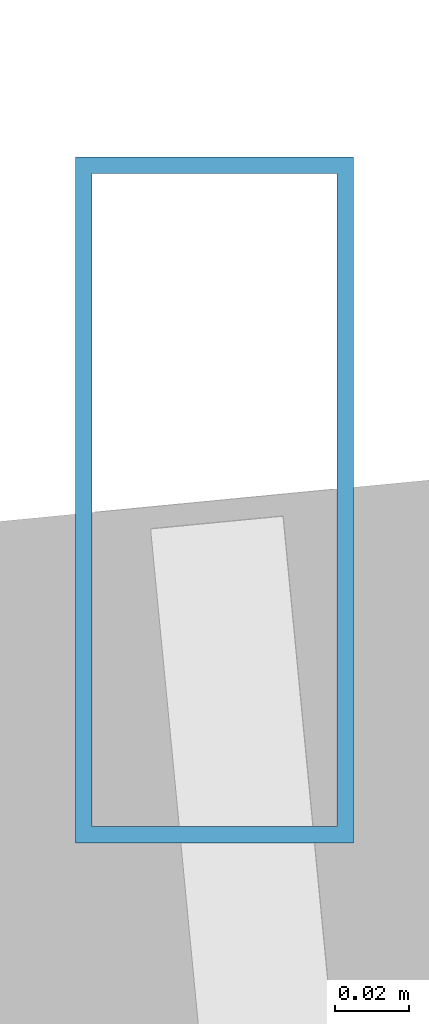
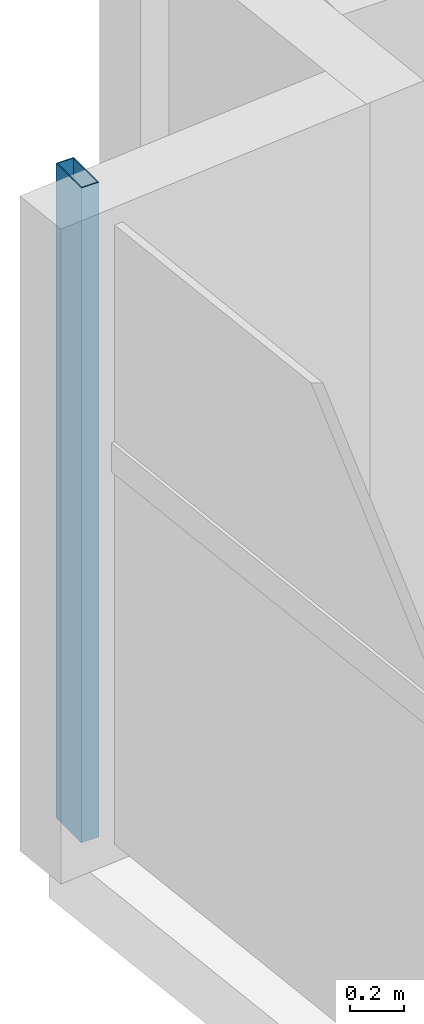
# One storey, part 8 of 25: 1 member, 1 element without a shape of its own.
"""IFC4 building model written with IfcOpenShell, lengths in metres."""

from ifc_helpers import new_model, si_unit, direction, frame, origin, origin_2d, place, context, subcontext, project, spatial, hollow_rectangle, extrude, source, transform, mapped, material, material_profile, profile_set, type_object, type_shapes, element, aggregate, save


model = new_model("IFC4")

# Units and contexts
model_context = context("Model", 3, precision=1e-05, world=origin(), true_north=direction((0.0, 1.0)))
body_context = subcontext(model_context, "Body", "Model", "MODEL_VIEW")
ifc_project = project(units=[si_unit("LENGTHUNIT", "METRE"), si_unit("AREAUNIT", "SQUARE_METRE"), si_unit("VOLUMEUNIT", "CUBIC_METRE"), si_unit("PLANEANGLEUNIT", "RADIAN"), si_unit("MASSUNIT", "GRAM", prefix="KILO")], contexts=[model_context])

# Site, building, storey
site_placement = place(None, origin())
site = spatial("IfcSite", under=ifc_project, at=site_placement, CompositionType="ELEMENT")
building_placement = place(site_placement, origin())
building = spatial("IfcBuilding", under=site, at=building_placement, Name="Astriad Promenade Condominiums", CompositionType="ELEMENT")
storey_placement = place(building_placement, frame((0.0, 0.0, 100.199951171875)))
storey = spatial("IfcBuildingStorey", under=building, at=storey_placement, Name="L28", CompositionType="ELEMENT", Elevation=100.199951171875)

# Curtain wall, member
ifc_material_1 = material(Name="Anodised aluminium Black Dark Glass Unitised", Category="aluminium")
curtain_wall_type = type_object("IfcCurtainWallType", Name="CW-B2-DARK", PredefinedType="USERDEFINED", material=ifc_material_1)
curtain_wall_placement = place(storey_placement, origin())
curtain_wall = element("IfcCurtainWall", 1, at=curtain_wall_placement, inside=storey, type_object=curtain_wall_type, Name="CW-L28-W", ObjectType="UNITISED_CURTAIN_WALL", PredefinedType="USERDEFINED")
ifc_material_2 = material(Name="Anodised aluminium 6063-T6 Black", Category="aluminium")
ifc_material_profile = material_profile(ifc_material_2, hollow_rectangle(XDim=0.074951171875, YDim=0.18505859375, WallThickness=0.00439453125, at=origin_2d()), Name="ALU-MUL-75X185")
ifc_profile_set = profile_set([ifc_material_profile], Name="Anodised aluminium 6063-T6 Black")
member_type = type_object("IfcMemberType", Name="MUL-ALU-MUL-75X185", PredefinedType="MULLION", material=ifc_profile_set)
shared_shape = source(origin(), body_context, "Body", "SweptSolid", [
    extrude(hollow_rectangle(XDim=0.074951171875, YDim=0.18505859375, WallThickness=0.00439453125, at=origin_2d()), origin(), (0.0, 0.0, 1.0), 2.93994140625),
])
type_shapes(member_type, [shared_shape])
member_placement = place(storey_placement, frame((8.94775390625, 20.921875, 0.0), z_axis=(0.0, 0.0, 1.0), x_axis=(1.0, 0.0, 0.0)))
member = element("IfcMember", 2, at=member_placement, type_object=member_type, Name="CW-L28-W-MUL-03", PredefinedType="MULLION", context=body_context, shape_type="MappedRepresentation", body=[
    mapped(shared_shape, transform((0.0, 0.0, 0.0), scale=1.0)),
])
aggregate(curtain_wall, [member])

save(model, "model.ifc")
